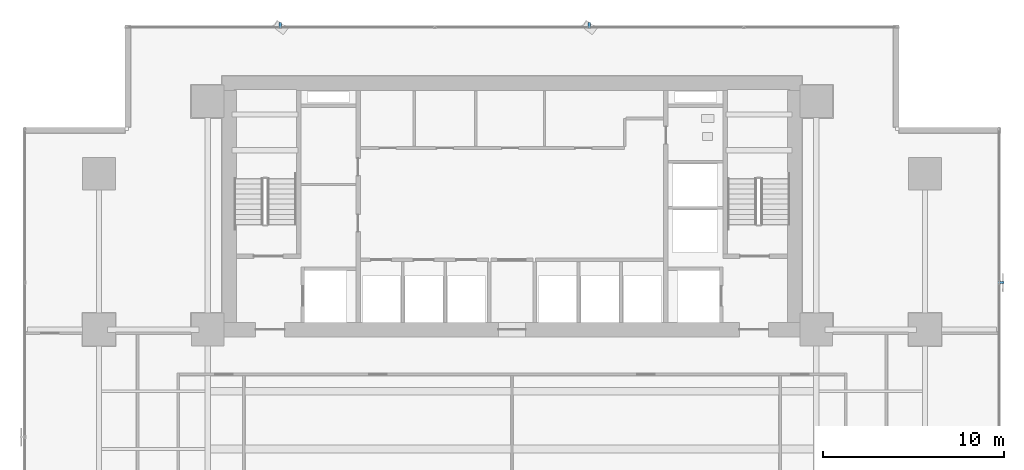
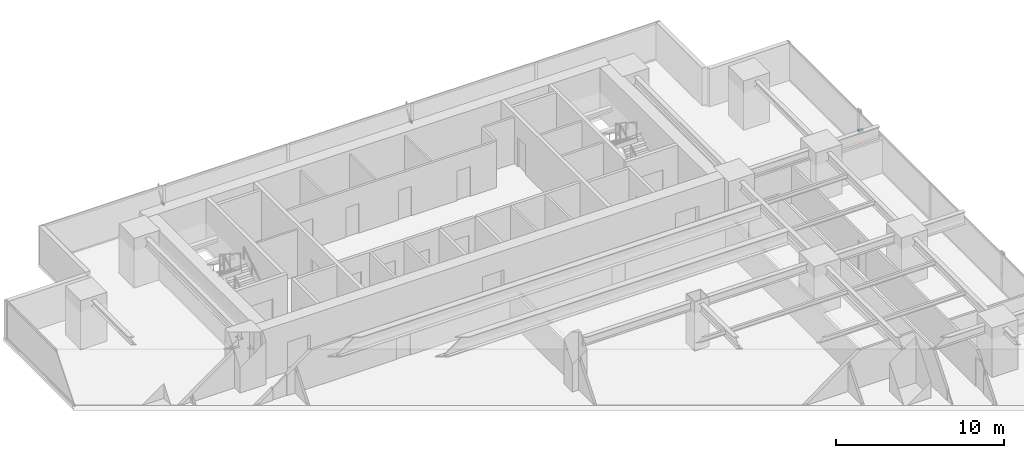
# One storey, part 29 of 34: 3 discrete accessories.
"""IFC4 building model written with IfcOpenShell, lengths in metres."""

from ifc_helpers import new_model, si_unit, direction, frame, origin, origin_2d, place, context, subcontext, project, spatial, rectangle, extrude, source, transform, mapped, material, material_profile, profile_set, type_object, element, save


model = new_model("IFC4")

# Units and contexts
model_context = context("Model", 3, precision=1e-05, world=origin(), true_north=direction((0.0, 1.0)))
body_context = subcontext(model_context, "Body", "Model", "MODEL_VIEW")
ifc_project = project(units=[si_unit("LENGTHUNIT", "METRE"), si_unit("AREAUNIT", "SQUARE_METRE"), si_unit("VOLUMEUNIT", "CUBIC_METRE"), si_unit("PLANEANGLEUNIT", "RADIAN"), si_unit("MASSUNIT", "GRAM", prefix="KILO")], contexts=[model_context])

# Site, building, storey
site_placement = place(None, origin())
site = spatial("IfcSite", under=ifc_project, at=site_placement, CompositionType="ELEMENT")
building_placement = place(site_placement, origin())
building = spatial("IfcBuilding", under=site, at=building_placement, Name="Sumidabori Civic Tower", CompositionType="ELEMENT")
storey_placement = place(building_placement, frame((0.0, 0.0, 34.39990234375)))
storey = spatial("IfcBuildingStorey", under=building, at=storey_placement, Name="L08", CompositionType="ELEMENT", Elevation=34.39990234375)

# Discrete accessories
ifc_material = material(Name="Stainless Steel Hairline Finish", Category="steel")
ifc_material_profile = material_profile(ifc_material, rectangle(XDim=0.1201171875, YDim=0.179931640625, at=origin_2d()), Name="STEEL BRACKET 180x120")
ifc_profile_set = profile_set([ifc_material_profile], Name="Stainless Steel Hairline Finish")
discrete_accessory_type = type_object("IfcDiscreteAccessoryType", Name="AC-BRK-180", PredefinedType="BRACKET", material=ifc_profile_set)
shared_shape = source(origin(), body_context, "Body", "SweptSolid", [
    extrude(rectangle(XDim=0.1201171875, YDim=0.179931640625, at=origin_2d()), origin(), (0.0, 0.0, 1.0), 0.329833984375),
])
for number, where, z_axis, x_axis, name in (
    (1, (26.830078125, 12.7919921875, 1.360107421875), (1.0, 0.0, 0.0), (0.0, 1.0, 0.0), "Bronze Fin Fixing Bracket L08-04"),
    (2, (4.263916015625, 26.830078125, 1.360107421875), (0.0, 1.0, 0.0), (-1.0, 0.0, 0.0), "Bronze Fin Fixing Bracket L08-02"),
    (3, (-12.7919921875, 26.830078125, 1.360107421875), (0.0, 1.0, 0.0), (-1.0, 0.0, 0.0), "Bronze Fin Fixing Bracket L08-04"),
):
    element("IfcDiscreteAccessory", number, at=place(storey_placement, frame(where, z_axis=z_axis, x_axis=x_axis)), inside=storey, type_object=discrete_accessory_type, Name=name, PredefinedType="BRACKET", context=body_context, shape_type="MappedRepresentation", body=[
        mapped(shared_shape, transform((0.0, 0.0, 0.0), x_axis=(1.0, 0.0, 0.0), y_axis=(0.0, 1.0, 0.0), z_axis=(0.0, 0.0, 1.0), scale=1.0)),
    ])

save(model, "model.ifc")
